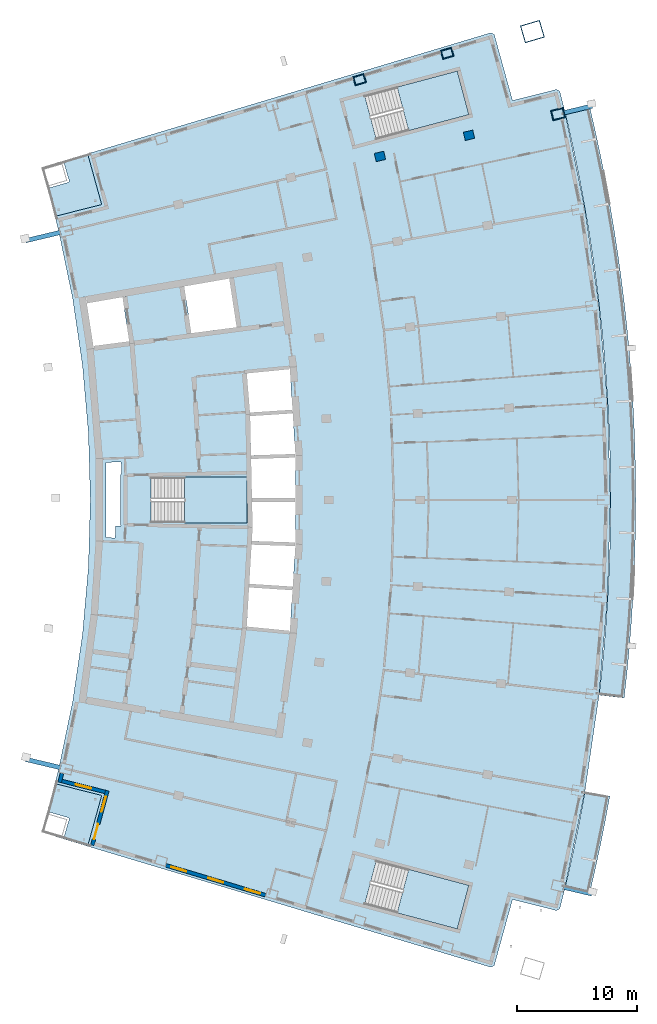
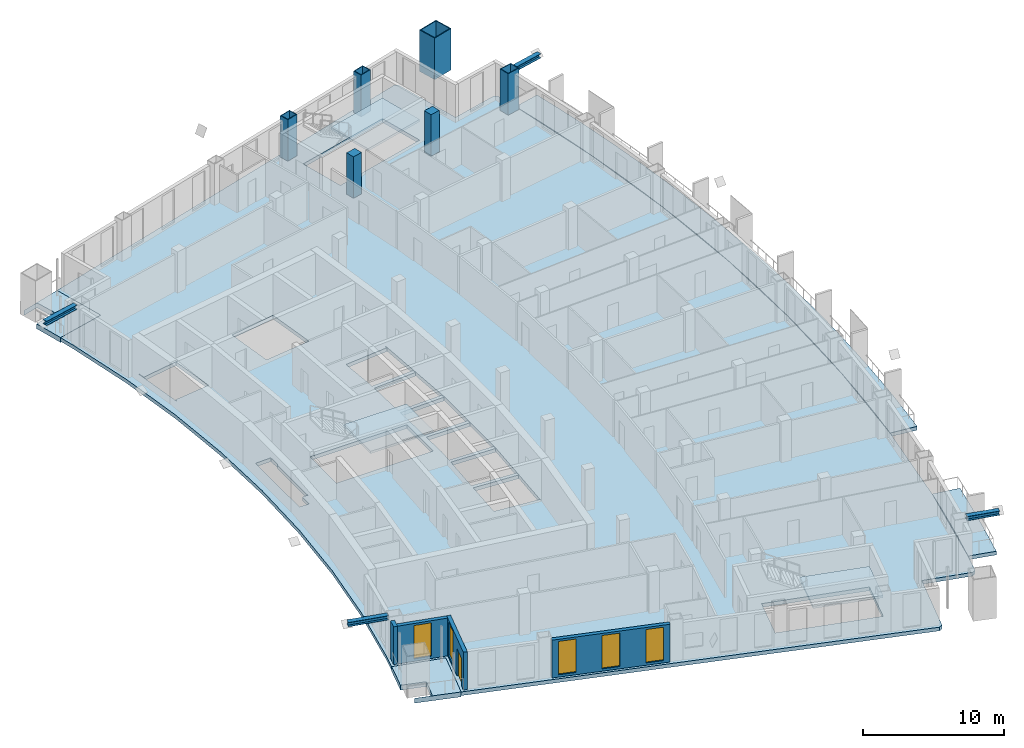
# One storey, part 8 of 19: 8 slabs, 6 columns, 5 windows, 4 members, 4 walls, 1 door, 6 openings, 3 elements without a shape of their own.
"""IFC4 building model written with IfcOpenShell, lengths in metres."""

from ifc_helpers import new_model, si_unit, direction, frame, frame_2d, origin, origin_2d, place, context, subcontext, project, spatial, polyline, rectangle, hollow_rectangle, i_section, outline, extrude, material, layer, layer_set, material_profile, profile_set, type_object, element, fill, aggregate, save


model = new_model("IFC4")

# Units and contexts
model_context = context("Model", 3, precision=1e-05, world=origin(), true_north=direction((0.0, 1.0)))
body_context = subcontext(model_context, "Body", "Model", "MODEL_VIEW")
ifc_project = project(units=[si_unit("LENGTHUNIT", "METRE"), si_unit("AREAUNIT", "SQUARE_METRE"), si_unit("VOLUMEUNIT", "CUBIC_METRE"), si_unit("PLANEANGLEUNIT", "RADIAN"), si_unit("MASSUNIT", "GRAM", prefix="KILO")], contexts=[model_context])

# Site, building, storey
site_placement = place(None, origin())
site = spatial("IfcSite", under=ifc_project, at=site_placement, CompositionType="ELEMENT")
building_placement = place(site_placement, origin())
building = spatial("IfcBuilding", under=site, at=building_placement, Name="Alderwake Tower", CompositionType="ELEMENT")
storey_placement = place(building_placement, frame((0.0, 0.0, 196.39990234375)))
storey = spatial("IfcBuildingStorey", under=building, at=storey_placement, Name="L48", CompositionType="ELEMENT", Elevation=196.39990234375)

# Columns
ifc_material_1 = material(Name="Steel ASTM A572 Grade 50 concrete filled C70/85", Category="concrete")
ifc_material_profile_1 = material_profile(ifc_material_1, hollow_rectangle(XDim=0.75, YDim=0.949951171875, WallThickness=0.054931640625, at=origin_2d()), Name="BOX 950X750X55")
ifc_profile_set_1 = profile_set([ifc_material_profile_1], Name="Steel ASTM A572 Grade 50 concrete filled C70/85")
column_type_1 = type_object("IfcColumnType", Name="End column Z4", PredefinedType="COLUMN", material=ifc_profile_set_1)
for number, where, z_axis, x_axis, name in (
    (1, (38.359619140625, 95.908447265625, 0.0), (0.0, 0.0, 1.0), (-0.282888913059, 0.959152679644, 0.0), "Column R12-C3"),
    (2, (45.638671875, 98.093994140625, 0.0), (0.0, 0.0, 1.0), (-0.283160095779, 0.95907265635, 0.0), "Column R12-C4"),
):
    element("IfcColumn", number, at=place(storey_placement, frame(where, z_axis=z_axis, x_axis=x_axis)), inside=storey, type_object=column_type_1, Name=name, PredefinedType="COLUMN", context=body_context, shape_type="SweptSolid", body=[
        extrude(hollow_rectangle(XDim=0.75, YDim=0.949951171875, WallThickness=0.054931640625, at=origin_2d()), origin(), (0.0, 0.0, 1.0), 3.60009765625),
    ])
ifc_material_2 = material(Name="Concrete C70/85", Category="concrete")
ifc_material_profile_2 = material_profile(ifc_material_2, rectangle(XDim=0.699951171875, YDim=0.800048828125, at=origin_2d()), Name="RC 800X700")
ifc_profile_set_2 = profile_set([ifc_material_profile_2], Name="Concrete C70/85")
column_type_2 = type_object("IfcColumnType", Name="Interior column Z4", PredefinedType="COLUMN", material=ifc_profile_set_2)
for number, where, z_axis, x_axis, name in (
    (3, (40.055908203125, 89.53271484375, 0.0), (0.0, 0.0, 1.0), (-0.231221547198, 0.972901123502, 0.0), "Column R11-C3"),
    (4, (47.449951171875, 91.2900390625, 0.0), (0.0, 0.0, 1.0), (-0.231221547198, 0.972901123502, 0.0), "Column R11-C4"),
):
    element("IfcColumn", number, at=place(storey_placement, frame(where, z_axis=z_axis, x_axis=x_axis)), inside=storey, type_object=column_type_2, Name=name, PredefinedType="COLUMN", context=body_context, shape_type="SweptSolid", body=[
        extrude(rectangle(XDim=0.699951171875, YDim=0.800048828125, at=origin_2d()), origin(), (0.0, 0.0, 1.0), 3.60009765625),
    ])
ifc_material_3 = material(Name="Steel ASTM A572 Grade 50 concrete filled C70/85", Category="concrete")
ifc_material_profile_3 = material_profile(ifc_material_3, hollow_rectangle(XDim=1.5, YDim=1.699951171875, WallThickness=0.074951171875, at=origin_2d()), Name="BOX 1700X1500X75")
ifc_profile_set_3 = profile_set([ifc_material_profile_3], Name="Steel ASTM A572 Grade 50 concrete filled C70/85")
column_type_3 = type_object("IfcColumnType", Name="Mega column Z4", PredefinedType="COLUMN", material=ifc_profile_set_3)
column_1_placement = place(storey_placement, frame((52.714599609375, 99.906982421875, 0.0), z_axis=(0.0, 0.0, 1.0), x_axis=(-0.281323312272, 0.959613043874, 0.0)))
element("IfcColumn", 5, at=column_1_placement, inside=storey, type_object=column_type_3, Name="Column R12-C5", PredefinedType="COLUMN", context=body_context, shape_type="SweptSolid", body=[
    extrude(hollow_rectangle(XDim=1.5, YDim=1.699951171875, WallThickness=0.074951171875, at=origin_2d()), origin(), (0.0, 0.0, 1.0), 3.60009765625),
])
ifc_material_4 = material(Name="Steel ASTM A572 Grade 50 concrete filled C70/85", Category="concrete")
ifc_material_profile_4 = material_profile(ifc_material_4, hollow_rectangle(XDim=0.85009765625, YDim=1.050048828125, WallThickness=0.054931640625, at=origin_2d()), Name="BOX 1050X850X55")
ifc_profile_set_4 = profile_set([ifc_material_profile_4], Name="Steel ASTM A572 Grade 50 concrete filled C70/85")
column_type_4 = type_object("IfcColumnType", Name="Perimeter column Z4", PredefinedType="COLUMN", material=ifc_profile_set_4)
column_2_placement = place(storey_placement, frame((54.843994140625, 93.04736328125, 0.0), z_axis=(0.0, 0.0, 1.0), x_axis=(-0.231221547198, 0.972901123502, 0.0)))
element("IfcColumn", 6, at=column_2_placement, inside=storey, type_object=column_type_4, Name="Column R11-C5", PredefinedType="COLUMN", context=body_context, shape_type="SweptSolid", body=[
    extrude(hollow_rectangle(XDim=0.85009765625, YDim=1.050048828125, WallThickness=0.054931640625, at=origin_2d()), origin(), (0.0, 0.0, 1.0), 3.60009765625),
])

# Members
ifc_material_5 = material(Name="Steel ASTM A992 Grade 50", Category="steel")
ifc_material_profile_5 = material_profile(ifc_material_5, i_section(OverallWidth=0.3740234375, OverallDepth=0.372314453125, WebThickness=0.016357421875, FlangeThickness=0.026123046875, at=origin_2d()), Name="W14X132")
ifc_profile_set_5 = profile_set([ifc_material_profile_5], Name="Steel ASTM A992 Grade 50")
member_type = type_object("IfcMemberType", Name="Brace node stub W14X132", PredefinedType="MEMBER", material=ifc_profile_set_5)
for number, where, z_axis, x_axis, name in (
    (7, (55.305419921875, 28.839111328125, 3.393798828125), (0.973263961133, -0.229689490311, 0.0), (0.229689490311, 0.973263961133, 0.0), "Brace node stub BS.FR03-C5.2000"),
    (8, (55.30712890625, 93.1533203125, 3.393798828125), (0.972524966305, 0.232798603763, 0.0), (-0.232798603763, 0.972524966305, 0.0), "Brace node stub BS.FR11-C5.2000"),
):
    element("IfcMember", number, at=place(storey_placement, frame(where, z_axis=z_axis, x_axis=x_axis)), inside=storey, type_object=member_type, Name=name, PredefinedType="MEMBER", context=body_context, shape_type="SweptSolid", body=[
        extrude(i_section(OverallWidth=0.3740234375, OverallDepth=0.372314453125, WebThickness=0.016357421875, FlangeThickness=0.026123046875, at=origin_2d()), origin(), (0.0, 0.0, 1.0), 2.427734375),
    ])
for number, where, z_axis, x_axis, name in (
    (9, (13.52001953125, 38.773681640625, 3.393798828125), (-0.972897445796, 0.231237021179, 0.0), (-0.231237021179, -0.972897445796, 0.0), "Brace node stub BS.RR03-C0.2000"),
    (10, (13.52001953125, 83.226318359375, 3.393798828125), (-0.972897445796, -0.231237021179, 0.0), (0.231237021179, -0.972897445796, 0.0), "Brace node stub BS.RR11-C0.2000"),
):
    element("IfcMember", number, at=place(storey_placement, frame(where, z_axis=z_axis, x_axis=x_axis)), inside=storey, type_object=member_type, Name=name, PredefinedType="MEMBER", context=body_context, shape_type="SweptSolid", body=[
        extrude(i_section(OverallWidth=0.3740234375, OverallDepth=0.372314453125, WebThickness=0.016357421875, FlangeThickness=0.026123046875, at=origin_2d()), origin(), (0.0, 0.0, 1.0), 2.983642578125),
    ])

# Slabs
ifc_material_6 = material(Name="Concrete C50/60", Category="concrete")
ifc_layer_1 = layer(ifc_material_6, 0.320068359375)
ifc_layer_set_1 = layer_set([ifc_layer_1], Name="Balcony slab 320")
slab_type_1 = type_object("IfcSlabType", Name="Balcony slab 320", PredefinedType="FLOOR", material=ifc_layer_set_1)
slab_1_placement = place(storey_placement, frame((0.0, 0.0, -0.31982421875)))
element("IfcSlab", 11, at=slab_1_placement, inside=storey, type_object=slab_type_1, Name="Balcony BF03", PredefinedType="FLOOR", context=body_context, shape_type="SweptSolid", body=[
    extrude(outline(polyline([(55.427734375, 28.81396484375), (57.470947265625, 28.328369140625), (57.9326171875, 30.33642578125), (58.365234375, 32.351318359375), (58.768310546875, 34.3720703125), (59.141845703125, 36.3984375), (57.073974609375, 36.76416015625), (56.705810546875, 34.767822265625), (56.308837890625, 32.777099609375), (55.8828125, 30.792236328125), (55.427734375, 28.81396484375)])), origin(), (0.0, 0.0, 1.0), 0.31982421875),
])
slab_2_placement = place(storey_placement, frame((0.0, 0.0, -0.31982421875)))
element("IfcSlab", 12, at=slab_2_placement, inside=storey, type_object=slab_type_1, Name="Balcony BF05", PredefinedType="FLOOR", context=body_context, shape_type="SweptSolid", body=[
    extrude(outline(polyline([(60.564453125, 46.6005859375), (60.759521484375, 48.652099609375), (60.924560546875, 50.7060546875), (61.059814453125, 52.76220703125), (61.164794921875, 54.820068359375), (61.239990234375, 56.87939453125), (61.284912109375, 58.939453125), (61.300048828125, 61.0), (61.284912109375, 63.060546875), (61.239990234375, 65.12060546875), (61.164794921875, 67.179931640625), (61.059814453125, 69.23779296875), (60.924560546875, 71.2939453125), (60.759521484375, 73.347900390625), (60.564453125, 75.3994140625), (60.339599609375, 77.447509765625), (60.084716796875, 79.492431640625), (59.800048828125, 81.533203125), (59.48583984375, 83.56982421875), (59.141845703125, 85.6015625), (58.768310546875, 87.6279296875), (58.365234375, 89.648681640625), (57.9326171875, 91.66357421875), (57.470947265625, 93.671630859375), (55.427734375, 93.18603515625), (55.8828125, 91.207763671875), (56.308837890625, 89.222900390625), (56.705810546875, 87.232177734375), (57.073974609375, 85.23583984375), (57.412841796875, 83.234375), (57.722412109375, 81.22802734375), (58.002685546875, 79.217529296875), (58.253662109375, 77.203125), (58.475341796875, 75.185302734375), (58.66748046875, 73.16455078125), (58.830078125, 71.14111328125), (58.963134765625, 69.115478515625), (59.06689453125, 67.088134765625), (59.140869140625, 65.059326171875), (59.185302734375, 63.02978515625), (59.199951171875, 61.0), (59.185302734375, 58.97021484375), (59.140869140625, 56.940673828125), (59.06689453125, 54.911865234375), (58.963134765625, 52.884521484375), (58.830078125, 50.85888671875), (58.66748046875, 48.83544921875), (58.475341796875, 46.814697265625), (58.253662109375, 44.796875), (60.339599609375, 44.552490234375), (60.564453125, 46.6005859375)])), origin(), (0.0, 0.0, 1.0), 0.31982421875),
])
ifc_material_7 = material(Name="Concrete C50/60", Category="concrete")
ifc_layer_2 = layer(ifc_material_7, 0.320068359375)
ifc_layer_set_2 = layer_set([ifc_layer_2], Name="Concrete C50/60 post-tensioned flat plate 320")
slab_type_2 = type_object("IfcSlabType", Name="Concrete C50/60 post-tensioned flat plate 320", PredefinedType="FLOOR", material=ifc_layer_set_2)
slab_3_placement = place(storey_placement, frame((0.0, 0.0, -0.31982421875)))
element("IfcSlab", 13, at=slab_3_placement, inside=storey, type_object=slab_type_2, Name="Floor slab L48", PredefinedType="FLOOR", context=body_context, shape_type="SweptSolid", body=[
    extrude(outline(polyline([(13.06494140625, 37.443115234375), (13.3984375, 38.802734375), (14.53369140625, 44.28564453125), (15.347412109375, 49.825439453125), (15.836669921875, 55.4033203125), (16.0, 61.0), (15.836669921875, 66.5966796875), (15.347412109375, 72.174560546875), (14.53369140625, 77.71435546875), (13.3984375, 83.197265625), (13.06494140625, 84.556884765625), (16.942626953125, 85.53857421875), (15.776611328125, 89.7548828125), (49.269775390625, 99.810546875), (49.55126953125, 99.65478515625), (51.06640625, 94.176025390625), (54.72119140625, 95.101318359375), (54.998779296875, 94.93408203125), (55.427734375, 93.18603515625), (57.073974609375, 85.23583984375), (58.253662109375, 77.203125), (58.963134765625, 69.115478515625), (59.199951171875, 61.0), (58.963134765625, 52.884521484375), (58.253662109375, 44.796875), (57.073974609375, 36.76416015625), (55.427734375, 28.81396484375), (54.998779296875, 27.06591796875), (54.72119140625, 26.898681640625), (51.06640625, 27.823974609375), (49.55126953125, 22.34521484375), (49.269775390625, 22.189453125), (15.776611328125, 32.2451171875), (16.942626953125, 36.46142578125), (13.06494140625, 37.443115234375)]), holes=[polyline([(28.9853515625, 50.4306640625), (28.989013671875, 50.430419921875), (28.994140625, 50.485595703125), (32.546875, 50.1376953125), (32.5322265625, 49.988525390625), (32.562255859375, 49.985595703125), (32.80126953125, 53.654541015625), (33.0400390625, 57.323486328125), (33.0400390625, 61.0), (33.0400390625, 64.676513671875), (32.80126953125, 68.345458984375), (32.562255859375, 72.014404296875), (32.532470703125, 72.011474609375), (32.547119140625, 71.8623046875), (28.993896484375, 71.514404296875), (29.256591796875, 68.264892578125), (32.761474609375, 68.4931640625), (32.771240234375, 68.343505859375), (32.781005859375, 68.19384765625), (29.278564453125, 67.9658203125), (29.274169921875, 68.032470703125), (29.2705078125, 68.0322265625), (29.34423828125, 64.70654296875), (33.005126953125, 64.82568359375), (33.010009765625, 64.67578125), (33.014892578125, 64.525634765625), (29.350830078125, 64.406494140625), (29.4228515625, 61.14990234375), (33.010009765625, 61.14990234375), (33.010009765625, 61.0), (33.010009765625, 60.85009765625), (29.429443359375, 60.85009765625), (29.4765625, 58.72314453125), (29.409423828125, 57.591552734375), (33.014892578125, 57.474365234375), (33.010009765625, 57.32421875), (33.005126953125, 57.17431640625), (29.395751953125, 57.291748046875), (29.39599609375, 57.3017578125), (29.392333984375, 57.302001953125), (29.198974609375, 54.039306640625), (32.781005859375, 53.80615234375), (32.771240234375, 53.656494140625), (32.761474609375, 53.5068359375), (29.181396484375, 53.739990234375), (28.9853515625, 50.4306640625)]), polyline([(21.050048828125, 62.875), (21.050048828125, 59.125), (29.0, 59.125), (29.0, 62.875), (21.050048828125, 62.875)]), polyline([(15.64111328125, 77.91015625), (15.487060546875, 77.8828125), (15.487548828125, 77.879150390625), (15.617919921875, 77.899169921875), (16.280029296875, 73.5927734375), (16.31005859375, 73.5966796875), (16.2841796875, 73.794921875), (19.224853515625, 74.1796875), (18.673095703125, 77.842041015625), (18.869140625, 77.87158203125), (18.8671875, 77.8837890625), (15.740234375, 77.340087890625), (15.64111328125, 77.91015625)]), polyline([(27.538330078125, 79.39111328125), (23.794921875, 78.740478515625), (24.384033203125, 74.8583984375), (24.36865234375, 74.856201171875), (24.369140625, 74.8525390625), (28.152587890625, 75.347412109375), (27.538330078125, 79.39111328125)]), polyline([(47.436279296875, 28.996826171875), (39.754150390625, 31.043212890625), (38.7890625, 27.41943359375), (46.47119140625, 25.373291015625), (47.436279296875, 28.996826171875)]), polyline([(46.47119140625, 96.626708984375), (38.7890625, 94.58056640625), (39.754150390625, 90.956787109375), (47.436279296875, 93.003173828125), (46.47119140625, 96.626708984375)]), polyline([(17.289306640625, 64.118408203125), (17.289306640625, 57.881591796875), (18.06298828125, 57.85400390625), (18.090576171875, 58.84375), (18.544189453125, 58.831298828125), (18.529296875, 58.8681640625), (18.5234375, 58.891845703125), (18.5185546875, 58.940673828125), (18.5185546875, 63.060302734375), (18.5234375, 63.109130859375), (18.53759765625, 63.156005859375), (18.560791015625, 63.19921875), (18.588623046875, 63.2333984375), (18.562744140625, 64.16357421875), (17.289306640625, 64.118408203125)])]), origin(), (0.0, 0.0, 1.0), 0.31982421875),
])

# Stair, slab
ifc_material_8 = material(Name="Concrete C40/50", Category="concrete")
stair_type = type_object("IfcStairType", Name="Core exit stair", PredefinedType="HALF_TURN_STAIR", material=ifc_material_8)
stair_1_placement = place(storey_placement, origin())
stair_1 = element("IfcStair", 14, at=stair_1_placement, inside=storey, type_object=stair_type, Name="L48 Exit Stair B", PredefinedType="HALF_TURN_STAIR")
ifc_material_9 = material(Name="Concrete C40/50", Category="concrete")
ifc_layer_3 = layer(ifc_material_9, 0.199951171875)
ifc_layer_set_3 = layer_set([ifc_layer_3], Name="Core stair landing 200")
slab_type_3 = type_object("IfcSlabType", Name="Core stair landing 200", PredefinedType="LANDING", material=ifc_layer_set_3)
slab_4_placement = place(storey_placement, frame((0.0, 0.0, 1.60009765625)))
slab_4 = element("IfcSlab", 15, at=slab_4_placement, type_object=slab_type_3, Name="ST-B landing 1", PredefinedType="LANDING", context=body_context, shape_type="SweptSolid", body=[
    extrude(outline(polyline([(23.830078125, 59.074951171875), (29.0, 59.074951171875), (29.0, 62.925048828125), (23.830078125, 62.925048828125), (23.830078125, 59.074951171875)])), origin(), (0.0, 0.0, 1.0), 0.199951171875),
])
aggregate(stair_1, [slab_4])

stair_2_placement = place(storey_placement, origin())
stair_2 = element("IfcStair", 16, at=stair_2_placement, inside=storey, type_object=stair_type, Name="L48 Exit Stair A", PredefinedType="HALF_TURN_STAIR")
slab_5_placement = place(storey_placement, frame((0.0, 0.0, 1.60009765625)))
slab_5 = element("IfcSlab", 17, at=slab_5_placement, type_object=slab_type_3, Name="ST-A landing 1", PredefinedType="LANDING", context=body_context, shape_type="SweptSolid", body=[
    extrude(outline(polyline([(42.440673828125, 91.67236328125), (47.436279296875, 93.003173828125), (46.47119140625, 96.626708984375), (41.475341796875, 95.296142578125), (42.440673828125, 91.67236328125)])), origin(), (0.0, 0.0, 1.0), 0.199951171875),
])
aggregate(stair_2, [slab_5])

stair_3_placement = place(storey_placement, origin())
stair_3 = element("IfcStair", 18, at=stair_3_placement, inside=storey, type_object=stair_type, Name="L48 Exit Stair C", PredefinedType="HALF_TURN_STAIR")
slab_6_placement = place(storey_placement, frame((0.0, 0.0, 1.60009765625)))
slab_6 = element("IfcSlab", 19, at=slab_6_placement, type_object=slab_type_3, Name="ST-C landing 1", PredefinedType="LANDING", context=body_context, shape_type="SweptSolid", body=[
    extrude(outline(polyline([(41.475341796875, 26.703857421875), (46.47119140625, 25.373291015625), (47.436279296875, 28.996826171875), (42.4404296875, 30.32763671875), (41.475341796875, 26.703857421875)])), origin(), (0.0, 0.0, 1.0), 0.199951171875),
])
aggregate(stair_3, [slab_6])

# Slabs
ifc_material_10 = material(Name="Concrete C50/60", Category="concrete")
ifc_layer_4 = layer(ifc_material_10, 0.419921875)
ifc_layer_set_4 = layer_set([ifc_layer_4], Name="Terrace slab 420")
slab_type_4 = type_object("IfcSlabType", Name="Terrace slab 420", PredefinedType="FLOOR", material=ifc_layer_set_4)
slab_7_placement = place(storey_placement, frame((0.0, 0.0, -0.419921875)))
element("IfcSlab", 20, at=slab_7_placement, inside=storey, type_object=slab_type_4, Name="Corner terrace RS", PredefinedType="FLOOR", context=body_context, shape_type="SweptSolid", body=[
    extrude(outline(polyline([(15.776611328125, 32.2451171875), (12.517333984375, 33.2236328125), (13.628662109375, 32.901123046875), (13.64306640625, 32.897705078125), (13.65771484375, 32.895751953125), (13.67236328125, 32.895263671875), (13.68701171875, 32.896240234375), (13.701416015625, 32.8984375), (13.7158203125, 32.90234375), (13.7294921875, 32.907470703125), (13.742919921875, 32.913818359375), (13.75537109375, 32.921630859375), (13.76708984375, 32.930419921875), (13.77783203125, 32.9404296875), (13.78759765625, 32.951416015625), (13.796142578125, 32.96337890625), (13.8037109375, 32.976318359375), (13.809814453125, 32.989501953125), (13.814453125, 33.00341796875), (14.232421875, 34.444091796875), (14.23583984375, 34.45849609375), (14.23779296875, 34.472900390625), (14.23828125, 34.48779296875), (14.237548828125, 34.50244140625), (14.235107421875, 34.516845703125), (14.2314453125, 34.53125), (14.226318359375, 34.544921875), (14.2197265625, 34.55810546875), (14.212158203125, 34.57080078125), (14.203125, 34.58251953125), (14.193115234375, 34.59326171875), (14.18212890625, 34.60302734375), (14.170166015625, 34.611572265625), (14.157470703125, 34.618896484375), (14.14404296875, 34.625244140625), (14.130126953125, 34.6298828125), (12.49755859375, 35.103515625), (12.483154296875, 35.10693359375), (12.468505859375, 35.10888671875), (12.453857421875, 35.109619140625), (12.4404296875, 35.108642578125), (12.71142578125, 36.08837890625), (13.06494140625, 37.443115234375), (16.942626953125, 36.46142578125), (15.776611328125, 32.2451171875)])), origin(), (0.0, 0.0, 1.0), 0.419921875),
])
slab_8_placement = place(storey_placement, frame((0.0, 0.0, -0.419921875)))
element("IfcSlab", 21, at=slab_8_placement, inside=storey, type_object=slab_type_4, Name="Corner terrace RN", PredefinedType="FLOOR", context=body_context, shape_type="SweptSolid", body=[
    extrude(outline(polyline([(12.4404296875, 86.891357421875), (12.453857421875, 86.890380859375), (12.468505859375, 86.89111328125), (12.483154296875, 86.89306640625), (12.49755859375, 86.896484375), (14.130126953125, 87.3701171875), (14.14404296875, 87.374755859375), (14.157470703125, 87.381103515625), (14.170166015625, 87.388427734375), (14.18212890625, 87.39697265625), (14.193115234375, 87.40673828125), (14.203125, 87.41748046875), (14.212158203125, 87.42919921875), (14.2197265625, 87.44189453125), (14.226318359375, 87.455078125), (14.2314453125, 87.46875), (14.235107421875, 87.483154296875), (14.237548828125, 87.49755859375), (14.23828125, 87.51220703125), (14.23779296875, 87.527099609375), (14.23583984375, 87.54150390625), (14.232421875, 87.555908203125), (13.814453125, 88.99658203125), (13.809814453125, 89.010498046875), (13.8037109375, 89.023681640625), (13.796142578125, 89.03662109375), (13.78759765625, 89.048583984375), (13.77783203125, 89.0595703125), (13.76708984375, 89.069580078125), (13.75537109375, 89.078369140625), (13.742919921875, 89.086181640625), (13.7294921875, 89.092529296875), (13.7158203125, 89.09765625), (13.701416015625, 89.1015625), (13.68701171875, 89.103759765625), (13.67236328125, 89.104736328125), (13.65771484375, 89.104248046875), (13.64306640625, 89.102294921875), (13.628662109375, 89.098876953125), (12.517333984375, 88.7763671875), (15.776611328125, 89.7548828125), (16.942626953125, 85.53857421875), (13.06494140625, 84.556884765625), (12.71142578125, 85.91162109375), (12.4404296875, 86.891357421875)])), origin(), (0.0, 0.0, 1.0), 0.419921875),
])

# Wall
ifc_material_11 = material(Name="Precast concrete C50/60 spandrel panel", Category="concrete")
ifc_layer_5 = layer(ifc_material_11, 0.300048828125)
ifc_layer_set_5 = layer_set([ifc_layer_5], Name="External wall EW1 Precast concrete C50/60 spandrel")
wall_type_1 = type_object("IfcWallType", Name="External wall EW1 Precast concrete C50/60 spandrel", PredefinedType="SOLIDWALL", material=ifc_layer_set_5)
wall_1_placement = place(storey_placement, frame((13.63720703125, 38.30712890625, 0.0), z_axis=(0.0, 0.0, 1.0), x_axis=(-0.23817684901, -0.971221801957, 0.0)))
element("IfcWall", 22, at=wall_1_placement, inside=storey, type_object=wall_type_1, Name="External wall 1", PredefinedType="SOLIDWALL", context=body_context, shape_type="SweptSolid", body=[
    extrude(rectangle(XDim=0.778076171875, YDim=0.300048828125, at=frame_2d((0.38916015625, 0.0))), origin(), (0.0, 0.0, 1.0), 3.280029296875),
])

# Wall, opening, window
ifc_material_12 = material(Name="Bronze metal cladding on lightweight framing")
ifc_layer_6 = layer(ifc_material_12, 0.300048828125)
ifc_layer_set_6 = layer_set([ifc_layer_6], Name="External wall EW2 bronze metal cladding")
wall_type_2 = type_object("IfcWallType", Name="External wall EW2 bronze metal cladding", PredefinedType="SOLIDWALL", material=ifc_layer_set_6)
wall_2_placement = place(storey_placement, frame((13.633056640625, 37.660400390625, 0.0), z_axis=(0.0, 0.0, 1.0), x_axis=(0.969417366605, -0.245417948254, 0.0)))
wall_2 = element("IfcWall", 23, at=wall_2_placement, inside=storey, type_object=wall_type_2, Name="External wall 2", PredefinedType="SOLIDWALL", context=body_context, shape_type="SweptSolid", body=[
    extrude(rectangle(XDim=3.70556640625, YDim=0.300048828125, at=frame_2d((1.852783203125, 0.0))), origin(), (0.0, 0.0, 1.0), 3.280029296875),
])
opening_1_placement = place(wall_2_placement, frame((1.202880859375, 0.0, 0.199951171875)))
opening_1 = element("IfcOpeningElement", 24, at=opening_1_placement, cuts=wall_2, Name="Opening W1", PredefinedType="OPENING", context=body_context, shape_type="SweptSolid", body=[
    extrude(rectangle(XDim=1.300048828125, YDim=2.89990234375, at=frame_2d((0.64990234375, 1.449951171875))), frame((0.0, 0.159912109375, 0.0), z_axis=(0.0, -1.0, 0.0), x_axis=(1.0, 0.0, 0.0)), (0.0, 0.0, 1.0), 0.320068359375),
])
ifc_material_13 = material(Name="Bronze tinted glass in aluminium frame", Category="aluminium")
window_type = type_object("IfcWindowType", Name="Window W1 tall fixed and vent", PartitioningType="DOUBLE_PANEL_VERTICAL", PredefinedType="WINDOW", material=ifc_material_13)
window_1_placement = place(opening_1_placement, origin())
window_1 = element("IfcWindow", 25, at=window_1_placement, inside=storey, type_object=window_type, Name="Window W1 tall fixed and vent", OverallHeight=2.89990234375, OverallWidth=1.300048828125, PartitioningType="DOUBLE_PANEL_VERTICAL", PredefinedType="WINDOW", context=body_context, shape_type="SweptSolid", body=[
    extrude(rectangle(XDim=1.300048828125, YDim=2.89990234375, at=frame_2d((0.64990234375, 1.449951171875))), frame((0.0, 0.030029296875, 0.0), z_axis=(0.0, -1.0, 0.0), x_axis=(1.0, 0.0, 0.0)), (0.0, 0.0, 1.0), 0.06005859375),
])
fill(opening_1, window_1)

# Wall, openings, door, window
wall_3_placement = place(storey_placement, frame((17.410400390625, 36.85888671875, 0.0), z_axis=(0.0, 0.0, 1.0), x_axis=(-0.264592640785, -0.96436027212, 0.0)))
wall_3 = element("IfcWall", 26, at=wall_3_placement, inside=storey, type_object=wall_type_2, Name="External wall 3", PredefinedType="SOLIDWALL", context=body_context, shape_type="SweptSolid", body=[
    extrude(rectangle(XDim=4.690185546875, YDim=0.300048828125, at=frame_2d((2.34521484375, 0.0))), origin(), (0.0, 0.0, 1.0), 3.280029296875),
])
opening_2_placement = place(wall_3_placement, frame((0.5224609375, 0.0, 0.199951171875)))
opening_2 = element("IfcOpeningElement", 27, at=opening_2_placement, cuts=wall_3, Name="Opening W1", PredefinedType="OPENING", context=body_context, shape_type="SweptSolid", body=[
    extrude(rectangle(XDim=1.300048828125, YDim=2.89990234375, at=frame_2d((0.64990234375, 1.449951171875))), frame((0.0, 0.159912109375, 0.0), z_axis=(0.0, -1.0, 0.0), x_axis=(1.0, 0.0, 0.0)), (0.0, 0.0, 1.0), 0.320068359375),
])
opening_3_placement = place(wall_3_placement, frame((2.867431640625, 0.0, 0.0)))
opening_3 = element("IfcOpeningElement", 28, at=opening_3_placement, cuts=wall_3, Name="Opening D01", PredefinedType="OPENING", context=body_context, shape_type="SweptSolid", body=[
    extrude(rectangle(XDim=1.300048828125, YDim=2.39990234375, at=frame_2d((0.64990234375, 1.199951171875))), frame((0.0, 0.159912109375, 0.0), z_axis=(0.0, -1.0, 0.0), x_axis=(1.0, 0.0, 0.0)), (0.0, 0.0, 1.0), 0.320068359375),
])
ifc_material_14 = material(Name="Bronze tinted glass in aluminium frame", Category="aluminium")
door_type = type_object("IfcDoorType", Name="Balcony door BD sliding", OperationType="SLIDING_TO_LEFT", PredefinedType="DOOR", material=ifc_material_14)
door_placement = place(opening_3_placement, origin())
door = element("IfcDoor", 29, at=door_placement, inside=storey, type_object=door_type, Name="Door D01", OperationType="SLIDING_TO_LEFT", OverallHeight=2.39990234375, OverallWidth=1.300048828125, PredefinedType="DOOR", context=body_context, shape_type="SweptSolid", body=[
    extrude(rectangle(XDim=1.300048828125, YDim=2.39990234375, at=frame_2d((0.64990234375, 1.199951171875))), frame((0.0, 0.02490234375, 0.0), z_axis=(0.0, -1.0, 0.0), x_axis=(1.0, 0.0, 0.0)), (0.0, 0.0, 1.0), 0.050048828125),
])
fill(opening_3, door)
window_2_placement = place(opening_2_placement, origin())
window_2 = element("IfcWindow", 30, at=window_2_placement, inside=storey, type_object=window_type, Name="Window W1 tall fixed and vent", OverallHeight=2.89990234375, OverallWidth=1.300048828125, PartitioningType="DOUBLE_PANEL_VERTICAL", PredefinedType="WINDOW", context=body_context, shape_type="SweptSolid", body=[
    extrude(rectangle(XDim=1.300048828125, YDim=2.89990234375, at=frame_2d((0.64990234375, 1.449951171875))), frame((0.0, 0.030029296875, 0.0), z_axis=(0.0, -1.0, 0.0), x_axis=(1.0, 0.0, 0.0)), (0.0, 0.0, 1.0), 0.06005859375),
])
fill(opening_2, window_2)

# Wall, openings, windows
wall_4_placement = place(storey_placement, frame((22.270751953125, 30.660888671875, 0.0), z_axis=(0.0, 0.0, 1.0), x_axis=(0.957759421932, -0.287570669054, 0.0)))
wall_4 = element("IfcWall", 31, at=wall_4_placement, inside=storey, type_object=wall_type_2, Name="External wall 5", PredefinedType="SOLIDWALL", context=body_context, shape_type="SweptSolid", body=[
    extrude(rectangle(XDim=8.64599609375, YDim=0.300048828125, at=frame_2d((4.322998046875, 0.0))), origin(), (0.0, 0.0, 1.0), 3.280029296875),
])
opening_4_placement = place(wall_4_placement, frame((0.472900390625, 0.0, 0.199951171875)))
opening_4 = element("IfcOpeningElement", 32, at=opening_4_placement, cuts=wall_4, Name="Opening W1", PredefinedType="OPENING", context=body_context, shape_type="SweptSolid", body=[
    extrude(rectangle(XDim=1.300048828125, YDim=2.89990234375, at=frame_2d((0.64990234375, 1.449951171875))), frame((0.0, 0.159912109375, 0.0), z_axis=(0.0, -1.0, 0.0), x_axis=(1.0, 0.0, 0.0)), (0.0, 0.0, 1.0), 0.320068359375),
])
opening_5_placement = place(wall_4_placement, frame((3.673095703125, 0.0, 0.199951171875)))
opening_5 = element("IfcOpeningElement", 33, at=opening_5_placement, cuts=wall_4, Name="Opening W1", PredefinedType="OPENING", context=body_context, shape_type="SweptSolid", body=[
    extrude(rectangle(XDim=1.300048828125, YDim=2.89990234375, at=frame_2d((0.64990234375, 1.449951171875))), frame((0.0, 0.159912109375, 0.0), z_axis=(0.0, -1.0, 0.0), x_axis=(1.0, 0.0, 0.0)), (0.0, 0.0, 1.0), 0.320068359375),
])
opening_6_placement = place(wall_4_placement, frame((6.873046875, 0.0, 0.199951171875)))
opening_6 = element("IfcOpeningElement", 34, at=opening_6_placement, cuts=wall_4, Name="Opening W1", PredefinedType="OPENING", context=body_context, shape_type="SweptSolid", body=[
    extrude(rectangle(XDim=1.300048828125, YDim=2.89990234375, at=frame_2d((0.64990234375, 1.449951171875))), frame((0.0, 0.159912109375, 0.0), z_axis=(0.0, -1.0, 0.0), x_axis=(1.0, 0.0, 0.0)), (0.0, 0.0, 1.0), 0.320068359375),
])
window_3_placement = place(opening_4_placement, origin())
window_3 = element("IfcWindow", 35, at=window_3_placement, inside=storey, type_object=window_type, Name="Window W1 tall fixed and vent", OverallHeight=2.89990234375, OverallWidth=1.300048828125, PartitioningType="DOUBLE_PANEL_VERTICAL", PredefinedType="WINDOW", context=body_context, shape_type="SweptSolid", body=[
    extrude(rectangle(XDim=1.300048828125, YDim=2.89990234375, at=frame_2d((0.64990234375, 1.449951171875))), frame((0.0, 0.030029296875, 0.0), z_axis=(0.0, -1.0, 0.0), x_axis=(1.0, 0.0, 0.0)), (0.0, 0.0, 1.0), 0.06005859375),
])
fill(opening_4, window_3)
window_4_placement = place(opening_5_placement, origin())
window_4 = element("IfcWindow", 36, at=window_4_placement, inside=storey, type_object=window_type, Name="Window W1 tall fixed and vent", OverallHeight=2.89990234375, OverallWidth=1.300048828125, PartitioningType="DOUBLE_PANEL_VERTICAL", PredefinedType="WINDOW", context=body_context, shape_type="SweptSolid", body=[
    extrude(rectangle(XDim=1.300048828125, YDim=2.89990234375, at=frame_2d((0.64990234375, 1.449951171875))), frame((0.0, 0.030029296875, 0.0), z_axis=(0.0, -1.0, 0.0), x_axis=(1.0, 0.0, 0.0)), (0.0, 0.0, 1.0), 0.06005859375),
])
fill(opening_5, window_4)
window_5_placement = place(opening_6_placement, origin())
window_5 = element("IfcWindow", 37, at=window_5_placement, inside=storey, type_object=window_type, Name="Window W1 tall fixed and vent", OverallHeight=2.89990234375, OverallWidth=1.300048828125, PartitioningType="DOUBLE_PANEL_VERTICAL", PredefinedType="WINDOW", context=body_context, shape_type="SweptSolid", body=[
    extrude(rectangle(XDim=1.300048828125, YDim=2.89990234375, at=frame_2d((0.64990234375, 1.449951171875))), frame((0.0, 0.030029296875, 0.0), z_axis=(0.0, -1.0, 0.0), x_axis=(1.0, 0.0, 0.0)), (0.0, 0.0, 1.0), 0.06005859375),
])
fill(opening_6, window_5)

save(model, "model.ifc")
